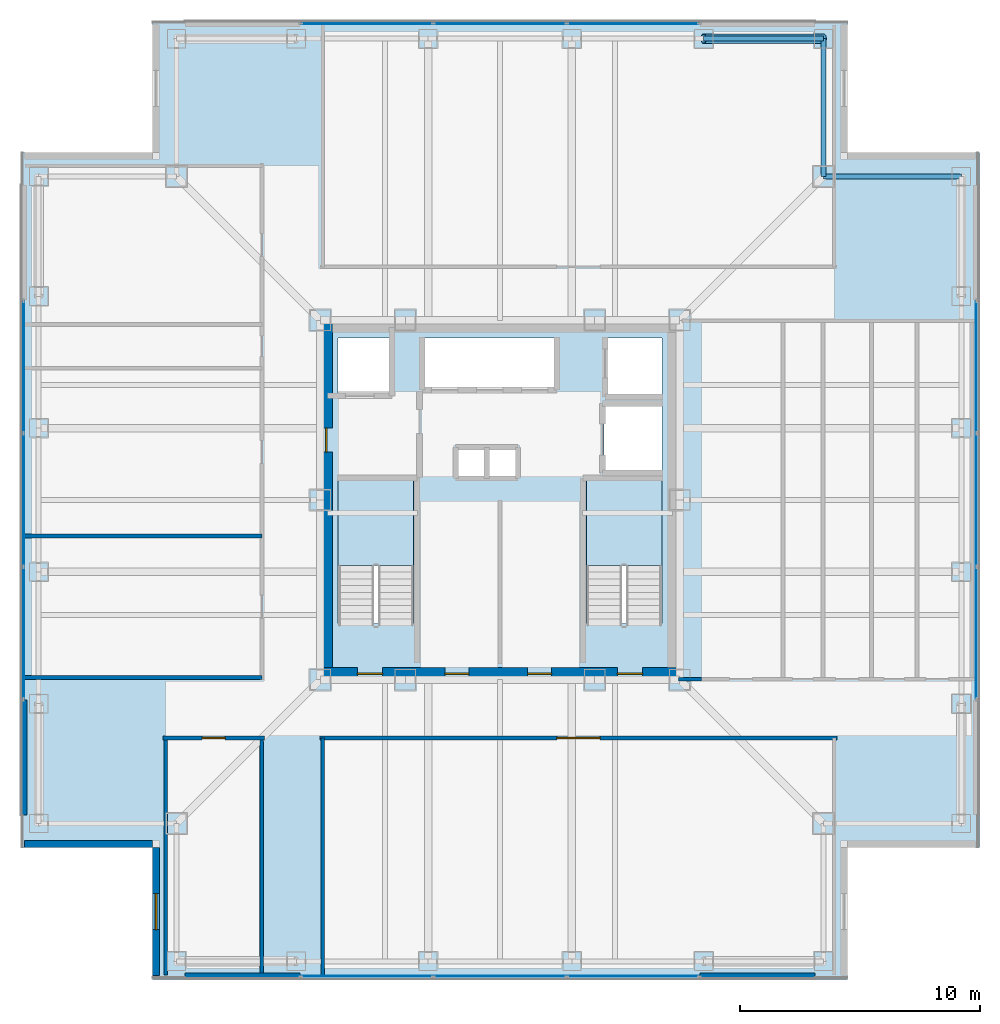
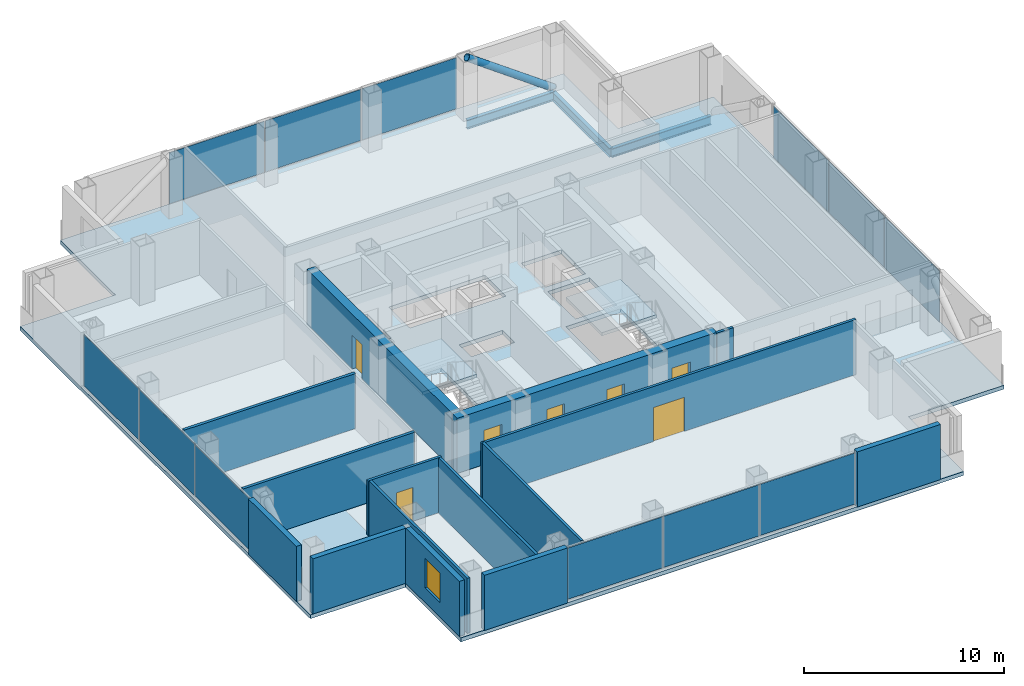
# One storey, part 8 of 16: 15 walls, 12 plates, 7 doors, 3 beams, 3 slabs, 1 member, 1 window, 8 openings, 6 elements without a shape of their own.
"""IFC4 building model written with IfcOpenShell, lengths in metres."""

from ifc_helpers import new_model, si_unit, direction, frame, frame_2d, origin, origin_2d, place, context, subcontext, project, spatial, polyline, rectangle, hollow_circle, i_section, outline, extrude, material, layer, layer_set, material_profile, profile_set, type_object, element, fill, aggregate, save


model = new_model("IFC4")

# Units and contexts
model_context = context("Model", 3, precision=1e-05, world=origin(), true_north=direction((0.0, 1.0)))
body_context = subcontext(model_context, "Body", "Model", "MODEL_VIEW")
ifc_project = project(units=[si_unit("LENGTHUNIT", "METRE"), si_unit("AREAUNIT", "SQUARE_METRE"), si_unit("VOLUMEUNIT", "CUBIC_METRE"), si_unit("PLANEANGLEUNIT", "RADIAN"), si_unit("MASSUNIT", "GRAM", prefix="KILO")], contexts=[model_context])

# Site, building, storey
site_placement = place(None, origin())
site = spatial("IfcSite", under=ifc_project, at=site_placement, CompositionType="ELEMENT")
building_placement = place(site_placement, origin())
building = spatial("IfcBuilding", under=site, at=building_placement, Name="Trevonay Congress Spire", CompositionType="ELEMENT")
storey_placement = place(building_placement, frame((0.0, 0.0, 202.199951171875)))
storey = spatial("IfcBuildingStorey", under=building, at=storey_placement, Name="L52", CompositionType="ELEMENT", Elevation=202.199951171875)

# Beams
ifc_material_1 = material(Name="Steel ASTM A572 Grade 50", Category="steel")
ifc_material_profile_1 = material_profile(ifc_material_1, i_section(OverallWidth=0.2119140625, OverallDepth=0.5439453125, WebThickness=0.01318359375, FlangeThickness=0.021240234375, FilletRadius=0.014892578125, at=origin_2d()), Name="W530x123")
ifc_profile_set_1 = profile_set([ifc_material_profile_1], Name="Steel ASTM A572 Grade 50")
beam_type = type_object("IfcBeamType", Name="BM-RING-W530X123", PredefinedType="BEAM", material=ifc_profile_set_1)
beam_placement = place(storey_placement, frame((8.5, 19.25, -0.511962890625), z_axis=(1.0, 0.0, 0.0), x_axis=(0.0, 1.0, 0.0)))
element("IfcBeam", 1, at=beam_placement, inside=storey, type_object=beam_type, Name="L52 structural beam BM-L52-PN5", PredefinedType="BEAM", context=body_context, shape_type="SweptSolid", body=[
    extrude(i_section(OverallWidth=0.2119140625, OverallDepth=0.5439453125, WebThickness=0.01318359375, FlangeThickness=0.021240234375, FilletRadius=0.014892578125, at=origin_2d()), origin(), (0.0, 0.0, 1.0), 5.0),
])
for number, where, z_axis, x_axis, name in (
    (2, (13.5, 19.25, -0.511962890625), (0.0, -1.0, 0.0), (1.0, 0.0, 0.0), "L52 structural beam BM-L52-N1NE"),
    (3, (19.25, 13.5, -0.511962890625), (-1.0, 0.0, 0.0), (0.0, -1.0, 0.0), "L52 structural beam BM-L52-N2NE"),
):
    element("IfcBeam", number, at=place(storey_placement, frame(where, z_axis=z_axis, x_axis=x_axis)), inside=storey, type_object=beam_type, Name=name, PredefinedType="BEAM", context=body_context, shape_type="SweptSolid", body=[
        extrude(i_section(OverallWidth=0.2119140625, OverallDepth=0.5439453125, WebThickness=0.01318359375, FlangeThickness=0.021240234375, FilletRadius=0.014892578125, at=origin_2d()), origin(), (0.0, 0.0, 1.0), 5.75),
    ])

# Member
ifc_material_2 = material(Name="Steel ASTM A500 Grade C", Category="steel")
ifc_material_profile_2 = material_profile(ifc_material_2, hollow_circle(Radius=0.203125, WallThickness=0.02001953125, at=origin_2d()), Name="CHS 406.4x20")
ifc_profile_set_2 = profile_set([ifc_material_profile_2], Name="Steel ASTM A500 Grade C")
member_type = type_object("IfcMemberType", Name="MBR-TUBE-CHS406", PredefinedType="BRACE", material=ifc_profile_set_2)
member_placement = place(storey_placement, frame((13.5, 19.25, -0.050048828125), z_axis=(-0.811526825515, 0.0, 0.584315164504), x_axis=(0.0, -1.0, 0.0)))
element("IfcMember", 4, at=member_placement, inside=storey, type_object=member_type, Name="L52 perimeter braced-tube diagonal N4", PredefinedType="BRACE", context=body_context, shape_type="SweptSolid", body=[
    extrude(hollow_circle(Radius=0.203125, WallThickness=0.02001953125, at=origin_2d()), origin(), (0.0, 0.0, 1.0), 6.1611328125),
])

# Curtain wall, plates
ifc_material_3 = material(Name="Pale Anodised Aluminium EN AW-6063-T6", Category="aluminium")
ifc_layer_1 = layer(ifc_material_3, 0.169921875, Name="Pale Anodised Aluminium EN AW-6063-T6")
ifc_layer_set_1 = layer_set([ifc_layer_1], Name="Pale Anodised Aluminium EN AW-6063-T6")
curtain_wall_type = type_object("IfcCurtainWallType", Name="CW-SYS04-CORP-PALE-METAL", PredefinedType="NOTDEFINED", material=ifc_layer_set_1)
curtain_wall_1_placement = place(storey_placement, origin())
curtain_wall_1 = element("IfcCurtainWall", 5, at=curtain_wall_1_placement, inside=storey, type_object=curtain_wall_type, Name="L52 S unitised curtain wall", PredefinedType="NOTDEFINED")
ifc_material_4 = material(Name="Insulated Low-E Vision Glass IGU", Category="glass")
ifc_layer_2 = layer(ifc_material_4, 0.035888671875, Name="Insulated Low-E Vision Glass IGU")
ifc_layer_set_2 = layer_set([ifc_layer_2], Name="Insulated Low-E Vision Glass IGU")
plate_type = type_object("IfcPlateType", Name="CW-PANEL-IGU36-SILVER", PredefinedType="CURTAIN_PANEL", material=ifc_layer_set_2)
plate_1_placement = place(storey_placement, frame((-5.5517578125, -19.8798828125, 0.119873046875), z_axis=(0.0, 0.0, 1.0), x_axis=(1.0, 0.0, 0.0)))
plate_1 = element("IfcPlate", 6, at=plate_1_placement, type_object=plate_type, Name="CW04 panel 1.1", PredefinedType="CURTAIN_PANEL", context=body_context, shape_type="SweptSolid", body=[
    extrude(rectangle(XDim=5.4765625, YDim=0.035888671875, at=origin_2d()), origin(), (0.0, 0.0, 1.0), 3.1201171875),
])
plate_2_placement = place(storey_placement, frame((0.0, -19.8798828125, 0.119873046875), z_axis=(0.0, 0.0, 1.0), x_axis=(1.0, 0.0, 0.0)))
plate_2 = element("IfcPlate", 7, at=plate_2_placement, type_object=plate_type, Name="CW04 panel 2.1", PredefinedType="CURTAIN_PANEL", context=body_context, shape_type="SweptSolid", body=[
    extrude(rectangle(XDim=5.506591796875, YDim=0.035888671875, at=origin_2d()), origin(), (0.0, 0.0, 1.0), 3.1201171875),
])
plate_3_placement = place(storey_placement, frame((5.5517578125, -19.8798828125, 0.119873046875), z_axis=(0.0, 0.0, 1.0), x_axis=(1.0, 0.0, 0.0)))
plate_3 = element("IfcPlate", 8, at=plate_3_placement, type_object=plate_type, Name="CW04 panel 3.1", PredefinedType="CURTAIN_PANEL", context=body_context, shape_type="SweptSolid", body=[
    extrude(rectangle(XDim=5.4765625, YDim=0.035888671875, at=origin_2d()), origin(), (0.0, 0.0, 1.0), 3.1201171875),
])
aggregate(curtain_wall_1, [plate_1, plate_2, plate_3])

curtain_wall_2_placement = place(storey_placement, origin())
curtain_wall_2 = element("IfcCurtainWall", 9, at=curtain_wall_2_placement, inside=storey, type_object=curtain_wall_type, Name="L52 N unitised curtain wall", PredefinedType="NOTDEFINED")
plate_4_placement = place(storey_placement, frame((-5.5517578125, 19.8798828125, 0.119873046875), z_axis=(0.0, 0.0, 1.0), x_axis=(1.0, 0.0, 0.0)))
plate_4 = element("IfcPlate", 10, at=plate_4_placement, type_object=plate_type, Name="CW04 panel 1.1", PredefinedType="CURTAIN_PANEL", context=body_context, shape_type="SweptSolid", body=[
    extrude(rectangle(XDim=5.4765625, YDim=0.035888671875, at=origin_2d()), origin(), (0.0, 0.0, 1.0), 3.1201171875),
])
plate_5_placement = place(storey_placement, frame((0.0, 19.8798828125, 0.119873046875), z_axis=(0.0, 0.0, 1.0), x_axis=(1.0, 0.0, 0.0)))
plate_5 = element("IfcPlate", 11, at=plate_5_placement, type_object=plate_type, Name="CW04 panel 2.1", PredefinedType="CURTAIN_PANEL", context=body_context, shape_type="SweptSolid", body=[
    extrude(rectangle(XDim=5.506591796875, YDim=0.035888671875, at=origin_2d()), origin(), (0.0, 0.0, 1.0), 3.1201171875),
])
plate_6_placement = place(storey_placement, frame((5.5517578125, 19.8798828125, 0.119873046875), z_axis=(0.0, 0.0, 1.0), x_axis=(1.0, 0.0, 0.0)))
plate_6 = element("IfcPlate", 12, at=plate_6_placement, type_object=plate_type, Name="CW04 panel 3.1", PredefinedType="CURTAIN_PANEL", context=body_context, shape_type="SweptSolid", body=[
    extrude(rectangle(XDim=5.4765625, YDim=0.035888671875, at=origin_2d()), origin(), (0.0, 0.0, 1.0), 3.1201171875),
])
aggregate(curtain_wall_2, [plate_4, plate_5, plate_6])

curtain_wall_3_placement = place(storey_placement, origin())
curtain_wall_3 = element("IfcCurtainWall", 13, at=curtain_wall_3_placement, inside=storey, type_object=curtain_wall_type, Name="L52 W unitised curtain wall", PredefinedType="NOTDEFINED")
plate_7_placement = place(storey_placement, frame((-19.8798828125, -5.5517578125, 0.119873046875), z_axis=(0.0, 0.0, 1.0), x_axis=(0.0, 1.0, 0.0)))
plate_7 = element("IfcPlate", 14, at=plate_7_placement, type_object=plate_type, Name="CW04 panel 1.1", PredefinedType="CURTAIN_PANEL", context=body_context, shape_type="SweptSolid", body=[
    extrude(rectangle(XDim=5.4765625, YDim=0.035888671875, at=origin_2d()), origin(), (0.0, 0.0, 1.0), 3.1201171875),
])
plate_8_placement = place(storey_placement, frame((-19.8798828125, 0.0, 0.119873046875), z_axis=(0.0, 0.0, 1.0), x_axis=(0.0, 1.0, 0.0)))
plate_8 = element("IfcPlate", 15, at=plate_8_placement, type_object=plate_type, Name="CW04 panel 2.1", PredefinedType="CURTAIN_PANEL", context=body_context, shape_type="SweptSolid", body=[
    extrude(rectangle(XDim=5.506591796875, YDim=0.035888671875, at=origin_2d()), origin(), (0.0, 0.0, 1.0), 3.1201171875),
])
plate_9_placement = place(storey_placement, frame((-19.8798828125, 5.5517578125, 0.119873046875), z_axis=(0.0, 0.0, 1.0), x_axis=(0.0, 1.0, 0.0)))
plate_9 = element("IfcPlate", 16, at=plate_9_placement, type_object=plate_type, Name="CW04 panel 3.1", PredefinedType="CURTAIN_PANEL", context=body_context, shape_type="SweptSolid", body=[
    extrude(rectangle(XDim=5.4765625, YDim=0.035888671875, at=origin_2d()), origin(), (0.0, 0.0, 1.0), 3.1201171875),
])
aggregate(curtain_wall_3, [plate_7, plate_8, plate_9])

curtain_wall_4_placement = place(storey_placement, origin())
curtain_wall_4 = element("IfcCurtainWall", 17, at=curtain_wall_4_placement, inside=storey, type_object=curtain_wall_type, Name="L52 E unitised curtain wall", PredefinedType="NOTDEFINED")
plate_10_placement = place(storey_placement, frame((19.8798828125, -5.5517578125, 0.119873046875), z_axis=(0.0, 0.0, 1.0), x_axis=(0.0, 1.0, 0.0)))
plate_10 = element("IfcPlate", 18, at=plate_10_placement, type_object=plate_type, Name="CW04 panel 1.1", PredefinedType="CURTAIN_PANEL", context=body_context, shape_type="SweptSolid", body=[
    extrude(rectangle(XDim=5.4765625, YDim=0.035888671875, at=origin_2d()), origin(), (0.0, 0.0, 1.0), 3.1201171875),
])
plate_11_placement = place(storey_placement, frame((19.8798828125, 0.0, 0.119873046875), z_axis=(0.0, 0.0, 1.0), x_axis=(0.0, 1.0, 0.0)))
plate_11 = element("IfcPlate", 19, at=plate_11_placement, type_object=plate_type, Name="CW04 panel 2.1", PredefinedType="CURTAIN_PANEL", context=body_context, shape_type="SweptSolid", body=[
    extrude(rectangle(XDim=5.506591796875, YDim=0.035888671875, at=origin_2d()), origin(), (0.0, 0.0, 1.0), 3.1201171875),
])
plate_12_placement = place(storey_placement, frame((19.8798828125, 5.5517578125, 0.119873046875), z_axis=(0.0, 0.0, 1.0), x_axis=(0.0, 1.0, 0.0)))
plate_12 = element("IfcPlate", 20, at=plate_12_placement, type_object=plate_type, Name="CW04 panel 3.1", PredefinedType="CURTAIN_PANEL", context=body_context, shape_type="SweptSolid", body=[
    extrude(rectangle(XDim=5.4765625, YDim=0.035888671875, at=origin_2d()), origin(), (0.0, 0.0, 1.0), 3.1201171875),
])
aggregate(curtain_wall_4, [plate_10, plate_11, plate_12])

# Stair, slab
ifc_material_5 = material(Name="Concrete C40/50", Category="concrete")
stair_type_1 = type_object("IfcStairType", Name="STR-ST-1", PredefinedType="HALF_TURN_STAIR", material=ifc_material_5)
stair_1_placement = place(storey_placement, origin())
stair_1 = element("IfcStair", 21, at=stair_1_placement, inside=storey, type_object=stair_type_1, Name="L52 Protected Exit Stair ST-1", PredefinedType="HALF_TURN_STAIR")
ifc_layer_3 = layer(ifc_material_5, 0.199951171875, Name="Concrete C40/50")
ifc_layer_set_3 = layer_set([ifc_layer_3], Name="Concrete C40/50")
slab_type_1 = type_object("IfcSlabType", Name="SLB-STAIR-LAND-200", PredefinedType="LANDING", material=ifc_layer_set_3)
slab_1_placement = place(storey_placement, frame((0.0, 0.0, 1.60009765625)))
slab_1 = element("IfcSlab", 22, at=slab_1_placement, type_object=slab_type_1, Name="ST-1 landing 1", PredefinedType="LANDING", context=body_context, shape_type="SweptSolid", body=[
    extrude(outline(polyline([(-3.60009765625, -2.72998046875), (-3.60009765625, 0.85009765625), (-6.75, 0.85009765625), (-6.75, -2.72998046875), (-3.60009765625, -2.72998046875)])), origin(), (0.0, 0.0, 1.0), 0.199951171875),
])
aggregate(stair_1, [slab_1])

stair_type_2 = type_object("IfcStairType", Name="STR-ST-2", PredefinedType="HALF_TURN_STAIR", material=ifc_material_5)
stair_2_placement = place(storey_placement, origin())
stair_2 = element("IfcStair", 23, at=stair_2_placement, inside=storey, type_object=stair_type_2, Name="L52 Protected Exit Stair ST-2", PredefinedType="HALF_TURN_STAIR")
slab_2_placement = place(storey_placement, frame((0.0, 0.0, 1.60009765625)))
slab_2 = element("IfcSlab", 24, at=slab_2_placement, type_object=slab_type_1, Name="ST-2 landing 1", PredefinedType="LANDING", context=body_context, shape_type="SweptSolid", body=[
    extrude(outline(polyline([(6.75, -2.72998046875), (6.75, 0.85009765625), (3.60009765625, 0.85009765625), (3.60009765625, -2.72998046875), (6.75, -2.72998046875)])), origin(), (0.0, 0.0, 1.0), 0.199951171875),
])
aggregate(stair_2, [slab_2])

# Slab
ifc_layer_4 = layer(ifc_material_5, 0.239990234375, Name="Concrete C40/50")
ifc_layer_set_4 = layer_set([ifc_layer_4], Name="Concrete C40/50")
slab_type_2 = type_object("IfcSlabType", Name="SLB-TOW2-240", PredefinedType="FLOOR", material=ifc_layer_set_4)
slab_3_placement = place(storey_placement, frame((0.0, 0.0, -0.239990234375)))
element("IfcSlab", 25, at=slab_3_placement, inside=storey, type_object=slab_type_2, Name="L52 structural floor slab", PredefinedType="FLOOR", context=body_context, shape_type="SweptSolid", body=[
    extrude(outline(polyline([(-14.5, -20.0), (14.5, -20.0), (14.5, -14.5), (20.0, -14.5), (20.0, 14.5), (14.5, 14.5), (14.5, 20.0), (-14.5, 20.0), (-14.5, 14.5), (-20.0, 14.5), (-20.0, -14.5), (-14.5, -14.5), (-14.5, -20.0)]), holes=[polyline([(-3.60009765625, -5.14990234375), (-3.60009765625, 0.85009765625), (-6.75, 0.85009765625), (-6.75, -5.14990234375), (-3.60009765625, -5.14990234375)]), polyline([(6.75, -5.14990234375), (6.75, 0.85009765625), (3.60009765625, 0.85009765625), (3.60009765625, -5.14990234375), (6.75, -5.14990234375)]), polyline([(-3.199951171875, 4.64990234375), (2.340087890625, 4.64990234375), (2.340087890625, 6.75), (-3.199951171875, 6.75), (-3.199951171875, 4.64990234375)]), polyline([(-6.75, 4.35009765625), (-4.449951171875, 4.35009765625), (-4.449951171875, 6.75), (-6.75, 6.75), (-6.75, 4.35009765625)]), polyline([(4.449951171875, 4.35009765625), (6.75, 4.35009765625), (6.75, 6.75), (4.449951171875, 6.75), (4.449951171875, 4.35009765625)]), polyline([(4.35009765625, 1.199951171875), (6.75, 1.199951171875), (6.75, 3.949951171875), (4.35009765625, 3.949951171875), (4.35009765625, 1.199951171875)]), polyline([(-1.800048828125, 0.949951171875), (0.699951171875, 0.949951171875), (0.699951171875, 2.14990234375), (-1.800048828125, 2.14990234375), (-1.800048828125, 0.949951171875)])]), origin(), (0.0, 0.0, 1.0), 0.239990234375),
])

# Wall, openings, doors
ifc_material_6 = material(Name="Concrete C50/60", Category="concrete")
ifc_layer_5 = layer(ifc_material_6, 0.5, Name="Concrete C50/60")
ifc_layer_set_5 = layer_set([ifc_layer_5], Name="Concrete C50/60")
wall_type_1 = type_object("IfcWallType", Name="WAL-CORE-500", PredefinedType="SHEAR", material=ifc_layer_set_5)
wall_1_placement = place(storey_placement, frame((-7.5, -7.25, 0.0), z_axis=(0.0, 0.0, 1.0), x_axis=(1.0, 0.0, 0.0)))
wall_1 = element("IfcWall", 26, at=wall_1_placement, inside=storey, type_object=wall_type_1, Name="L52 South structural core shear wall", PredefinedType="SHEAR", context=body_context, shape_type="SweptSolid", body=[
    extrude(rectangle(XDim=15.0, YDim=0.5, at=frame_2d((7.5, 0.0))), origin(), (0.0, 0.0, 1.0), 3.360107421875),
])
opening_1_placement = place(wall_1_placement, frame((1.550048828125, 0.0, 0.0)))
opening_1 = element("IfcOpeningElement", 27, at=opening_1_placement, cuts=wall_1, Name="Opening D05", PredefinedType="OPENING", context=body_context, shape_type="SweptSolid", body=[
    extrude(rectangle(XDim=1.050048828125, YDim=2.080078125, at=frame_2d((0.52490234375, 1.0400390625))), frame((0.0, 0.260009765625, 0.0), z_axis=(0.0, -1.0, 0.0), x_axis=(1.0, 0.0, 0.0)), (0.0, 0.0, 1.0), 0.52001953125),
])
opening_2_placement = place(wall_1_placement, frame((12.39990234375, 0.0, 0.0)))
opening_2 = element("IfcOpeningElement", 28, at=opening_2_placement, cuts=wall_1, Name="Opening D05", PredefinedType="OPENING", context=body_context, shape_type="SweptSolid", body=[
    extrude(rectangle(XDim=1.050048828125, YDim=2.080078125, at=frame_2d((0.52490234375, 1.0400390625))), frame((0.0, 0.260009765625, 0.0), z_axis=(0.0, -1.0, 0.0), x_axis=(1.0, 0.0, 0.0)), (0.0, 0.0, 1.0), 0.52001953125),
])
opening_3_placement = place(wall_1_placement, frame((5.199951171875, 0.0, 0.0)))
opening_3 = element("IfcOpeningElement", 29, at=opening_3_placement, cuts=wall_1, Name="Opening D06", PredefinedType="OPENING", context=body_context, shape_type="SweptSolid", body=[
    extrude(rectangle(XDim=1.0, YDim=2.080078125, at=frame_2d((0.5, 1.0400390625))), frame((0.0, 0.260009765625, 0.0), z_axis=(0.0, -1.0, 0.0), x_axis=(1.0, 0.0, 0.0)), (0.0, 0.0, 1.0), 0.52001953125),
])
opening_4_placement = place(wall_1_placement, frame((8.64990234375, 0.0, 0.0)))
opening_4 = element("IfcOpeningElement", 30, at=opening_4_placement, cuts=wall_1, Name="Opening D06", PredefinedType="OPENING", context=body_context, shape_type="SweptSolid", body=[
    extrude(rectangle(XDim=1.0, YDim=2.080078125, at=frame_2d((0.5, 1.0400390625))), frame((0.0, 0.260009765625, 0.0), z_axis=(0.0, -1.0, 0.0), x_axis=(1.0, 0.0, 0.0)), (0.0, 0.0, 1.0), 0.52001953125),
])
door_type_1 = type_object("IfcDoorType", Name="DOR-FIRE-100", OperationType="NOTDEFINED", PredefinedType="DOOR", material=ifc_material_1)
door_1_placement = place(opening_3_placement, origin())
door_1 = element("IfcDoor", 31, at=door_1_placement, inside=storey, type_object=door_type_1, Name="L52 South Core Room 1 Door", OperationType="SINGLE_SWING_RIGHT", OverallHeight=2.080078125, OverallWidth=1.0, PredefinedType="DOOR", context=body_context, shape_type="SweptSolid", body=[
    extrude(rectangle(XDim=1.0, YDim=2.080078125, at=frame_2d((0.5, 1.0400390625))), frame((0.0, 0.02490234375, 0.0), z_axis=(0.0, -1.0, 0.0), x_axis=(1.0, 0.0, 0.0)), (0.0, 0.0, 1.0), 0.050048828125),
])
fill(opening_3, door_1)
door_2_placement = place(opening_4_placement, origin())
door_2 = element("IfcDoor", 32, at=door_2_placement, inside=storey, type_object=door_type_1, Name="L52 South Core Room 2 Door", OperationType="SINGLE_SWING_LEFT", OverallHeight=2.080078125, OverallWidth=1.0, PredefinedType="DOOR", context=body_context, shape_type="SweptSolid", body=[
    extrude(rectangle(XDim=1.0, YDim=2.080078125, at=frame_2d((0.5, 1.0400390625))), frame((0.0, 0.02490234375, 0.0), z_axis=(0.0, -1.0, 0.0), x_axis=(1.0, 0.0, 0.0)), (0.0, 0.0, 1.0), 0.050048828125),
])
fill(opening_4, door_2)
door_type_2 = type_object("IfcDoorType", Name="DOR-STAIR-110", OperationType="NOTDEFINED", PredefinedType="DOOR", material=ifc_material_1)
door_3_placement = place(opening_1_placement, origin())
door_3 = element("IfcDoor", 33, at=door_3_placement, inside=storey, type_object=door_type_2, Name="L52 Protected Stair ST-1 Door", OperationType="SINGLE_SWING_LEFT", OverallHeight=2.080078125, OverallWidth=1.050048828125, PredefinedType="DOOR", context=body_context, shape_type="SweptSolid", body=[
    extrude(rectangle(XDim=1.050048828125, YDim=2.080078125, at=frame_2d((0.52490234375, 1.0400390625))), frame((0.0, 0.02490234375, 0.0), z_axis=(0.0, -1.0, 0.0), x_axis=(1.0, 0.0, 0.0)), (0.0, 0.0, 1.0), 0.050048828125),
])
fill(opening_1, door_3)
door_4_placement = place(opening_2_placement, origin())
door_4 = element("IfcDoor", 34, at=door_4_placement, inside=storey, type_object=door_type_2, Name="L52 Protected Stair ST-2 Door", OperationType="SINGLE_SWING_RIGHT", OverallHeight=2.080078125, OverallWidth=1.050048828125, PredefinedType="DOOR", context=body_context, shape_type="SweptSolid", body=[
    extrude(rectangle(XDim=1.050048828125, YDim=2.080078125, at=frame_2d((0.52490234375, 1.0400390625))), frame((0.0, 0.02490234375, 0.0), z_axis=(0.0, -1.0, 0.0), x_axis=(1.0, 0.0, 0.0)), (0.0, 0.0, 1.0), 0.050048828125),
])
fill(opening_2, door_4)

# Wall, opening, door
wall_2_placement = place(storey_placement, frame((-7.25, -7.5, 0.0), z_axis=(0.0, 0.0, 1.0), x_axis=(0.0, 1.0, 0.0)))
wall_2 = element("IfcWall", 35, at=wall_2_placement, inside=storey, type_object=wall_type_1, Name="L52 West structural core shear wall", PredefinedType="SHEAR", context=body_context, shape_type="SweptSolid", body=[
    extrude(rectangle(XDim=15.0, YDim=0.5, at=frame_2d((7.5, 0.0))), origin(), (0.0, 0.0, 1.0), 3.360107421875),
])
opening_5_placement = place(wall_2_placement, frame((9.5, 0.0, 0.0)))
opening_5 = element("IfcOpeningElement", 36, at=opening_5_placement, cuts=wall_2, Name="Opening D06", PredefinedType="OPENING", context=body_context, shape_type="SweptSolid", body=[
    extrude(rectangle(XDim=1.0, YDim=2.080078125, at=frame_2d((0.5, 1.0400390625))), frame((0.0, 0.260009765625, 0.0), z_axis=(0.0, -1.0, 0.0), x_axis=(1.0, 0.0, 0.0)), (0.0, 0.0, 1.0), 0.52001953125),
])
door_5_placement = place(opening_5_placement, origin())
door_5 = element("IfcDoor", 37, at=door_5_placement, inside=storey, type_object=door_type_1, Name="L52 Firefighting Lift Lobby West Corridor Door", OperationType="SINGLE_SWING_LEFT", OverallHeight=2.080078125, OverallWidth=1.0, PredefinedType="DOOR", context=body_context, shape_type="SweptSolid", body=[
    extrude(rectangle(XDim=1.0, YDim=2.080078125, at=frame_2d((0.5, 1.0400390625))), frame((0.0, 0.02490234375, 0.0), z_axis=(0.0, -1.0, 0.0), x_axis=(1.0, 0.0, 0.0)), (0.0, 0.0, 1.0), 0.050048828125),
])
fill(opening_5, door_5)

ifc_layer_6 = layer(ifc_material_5, 0.14990234375, Name="Concrete C40/50")
ifc_layer_set_6 = layer_set([ifc_layer_6], Name="Concrete C40/50")
wall_type_2 = type_object("IfcWallType", Name="WAL-CORR-150", PredefinedType="PARTITIONING", material=ifc_layer_set_6)
wall_3_placement = place(storey_placement, frame((-14.070068359375, -9.929931640625, 0.0), z_axis=(0.0, 0.0, 1.0), x_axis=(1.0, 0.0, 0.0)))
wall_3 = element("IfcWall", 38, at=wall_3_placement, inside=storey, type_object=wall_type_2, Name="L52 interior wall WP-L52SW-COR", PredefinedType="PARTITIONING", context=body_context, shape_type="SweptSolid", body=[
    extrude(rectangle(XDim=4.239990234375, YDim=0.14990234375, at=frame_2d((2.1201171875, 0.0))), origin(), (0.0, 0.0, 1.0), 3.360107421875),
])
opening_6_placement = place(wall_3_placement, frame((1.64501953125, 0.0, 0.0)))
opening_6 = element("IfcOpeningElement", 39, at=opening_6_placement, cuts=wall_3, Name="Opening D07", PredefinedType="OPENING", context=body_context, shape_type="SweptSolid", body=[
    extrude(rectangle(XDim=0.949951171875, YDim=2.06005859375, at=frame_2d((0.47509765625, 1.030029296875))), frame((0.0, 0.0849609375, 0.0), z_axis=(0.0, -1.0, 0.0), x_axis=(1.0, 0.0, 0.0)), (0.0, 0.0, 1.0), 0.169921875),
])
door_type_3 = type_object("IfcDoorType", Name="DOR-OFFICE-95", OperationType="NOTDEFINED", PredefinedType="DOOR", material=ifc_material_3)
door_6_placement = place(opening_6_placement, origin())
door_6 = element("IfcDoor", 40, at=door_6_placement, inside=storey, type_object=door_type_3, Name="L52 Quiet Meditation Lounge Door", OperationType="SINGLE_SWING_LEFT", OverallHeight=2.06005859375, OverallWidth=0.949951171875, PredefinedType="DOOR", context=body_context, shape_type="SweptSolid", body=[
    extrude(rectangle(XDim=0.949951171875, YDim=2.06005859375, at=frame_2d((0.47509765625, 1.030029296875))), frame((0.0, 0.02490234375, 0.0), z_axis=(0.0, -1.0, 0.0), x_axis=(1.0, 0.0, 0.0)), (0.0, 0.0, 1.0), 0.050048828125),
])
fill(opening_6, door_6)

wall_4_placement = place(storey_placement, frame((-7.52001953125, -9.929931640625, 0.0), z_axis=(0.0, 0.0, 1.0), x_axis=(1.0, 0.0, 0.0)))
wall_4 = element("IfcWall", 41, at=wall_4_placement, inside=storey, type_object=wall_type_2, Name="L52 interior wall WP-L52SE-COR", PredefinedType="PARTITIONING", context=body_context, shape_type="SweptSolid", body=[
    extrude(rectangle(XDim=21.590087890625, YDim=0.14990234375, at=frame_2d((10.794921875, 0.0))), origin(), (0.0, 0.0, 1.0), 3.360107421875),
])
opening_7_placement = place(wall_4_placement, frame((9.89501953125, 0.0, 0.0)))
opening_7 = element("IfcOpeningElement", 42, at=opening_7_placement, cuts=wall_4, Name="Opening D09", PredefinedType="OPENING", context=body_context, shape_type="SweptSolid", body=[
    extrude(rectangle(XDim=1.800048828125, YDim=2.080078125, at=frame_2d((0.89990234375, 1.0400390625))), frame((0.0, 0.0849609375, 0.0), z_axis=(0.0, -1.0, 0.0), x_axis=(1.0, 0.0, 0.0)), (0.0, 0.0, 1.0), 0.169921875),
])
door_type_4 = type_object("IfcDoorType", Name="DOR-CONF-DBL", OperationType="DOUBLE_DOOR_SINGLE_SWING", PredefinedType="DOOR", material=ifc_material_3)
door_7_placement = place(opening_7_placement, origin())
door_7 = element("IfcDoor", 43, at=door_7_placement, inside=storey, type_object=door_type_4, Name="L52 Members Maritime Reference Library Lounge Door", OperationType="DOUBLE_DOOR_SINGLE_SWING", OverallHeight=2.080078125, OverallWidth=1.800048828125, PredefinedType="DOOR", context=body_context, shape_type="SweptSolid", body=[
    extrude(rectangle(XDim=1.800048828125, YDim=2.080078125, at=frame_2d((0.89990234375, 1.0400390625))), frame((0.0, 0.02490234375, 0.0), z_axis=(0.0, -1.0, 0.0), x_axis=(1.0, 0.0, 0.0)), (0.0, 0.0, 1.0), 0.050048828125),
])
fill(opening_7, door_7)

# Walls
wall_5_placement = place(storey_placement, frame((7.449951171875, -7.47998046875, 0.0), z_axis=(0.0, 0.0, 1.0), x_axis=(1.0, 0.0, 0.0)))
element("IfcWall", 44, at=wall_5_placement, inside=storey, type_object=wall_type_2, Name="L52 interior wall WP-L52E-STUB", PredefinedType="PARTITIONING", context=body_context, shape_type="SweptSolid", body=[
    extrude(rectangle(XDim=0.949951171875, YDim=0.14990234375, at=frame_2d((0.47509765625, 0.0))), origin(), (0.0, 0.0, 1.0), 3.360107421875),
])
ifc_material_7 = material(Name="Precast concrete C40/50", Category="concrete")
ifc_layer_7 = layer(ifc_material_7, 0.300048828125, Name="Precast concrete C40/50")
ifc_layer_set_7 = layer_set([ifc_layer_7], Name="Precast concrete C40/50")
wall_type_3 = type_object("IfcWallType", Name="WAL-EXT-PRECAST-300", PredefinedType="SOLIDWALL", material=ifc_layer_set_7)
for number, where, z_axis, x_axis, name in (
    (45, (-13.14990234375, -19.8798828125, 0.0), (0.0, 0.0, 1.0), (1.0, 0.0, 0.0), "L52 SL braced-bay exterior pier wall"),
    (46, (8.35009765625, -19.8798828125, 0.0), (0.0, 0.0, 1.0), (1.0, 0.0, 0.0), "L52 SR braced-bay exterior pier wall"),
    (47, (-19.8798828125, -13.14990234375, 0.0), (0.0, 0.0, 1.0), (0.0, 1.0, 0.0), "L52 WL braced-bay exterior pier wall"),
):
    element("IfcWall", number, at=place(storey_placement, frame(where, z_axis=z_axis, x_axis=x_axis)), inside=storey, type_object=wall_type_3, Name=name, PredefinedType="SOLIDWALL", context=body_context, shape_type="SweptSolid", body=[
        extrude(rectangle(XDim=4.7998046875, YDim=0.300048828125, at=frame_2d((2.39990234375, 0.0))), origin(), (0.0, 0.0, 1.0), 3.360107421875),
    ])

# Wall, opening, window
wall_6_placement = place(storey_placement, frame((-14.35009765625, -19.85009765625, 0.0), z_axis=(0.0, 0.0, 1.0), x_axis=(0.0, 1.0, 0.0)))
wall_6 = element("IfcWall", 48, at=wall_6_placement, inside=storey, type_object=wall_type_3, Name="L52 SW re-entrant notch exterior wall 1", PredefinedType="SOLIDWALL", context=body_context, shape_type="SweptSolid", body=[
    extrude(rectangle(XDim=5.35009765625, YDim=0.300048828125, at=frame_2d((2.675048828125, 0.0))), origin(), (0.0, 0.0, 1.0), 3.360107421875),
])
opening_8_placement = place(wall_6_placement, frame((1.925048828125, 0.0, 0.89990234375)))
opening_8 = element("IfcOpeningElement", 49, at=opening_8_placement, cuts=wall_6, Name="Opening WN03", PredefinedType="OPENING", context=body_context, shape_type="SweptSolid", body=[
    extrude(rectangle(XDim=1.5, YDim=1.800048828125, at=frame_2d((0.75, 0.89990234375))), frame((0.0, 0.16015625, 0.0), z_axis=(0.0, -1.0, 0.0), x_axis=(1.0, 0.0, 0.0)), (0.0, 0.0, 1.0), 0.320068359375),
])
window_type = type_object("IfcWindowType", Name="WIN-NOTCH-150X180", PartitioningType="SINGLE_PANEL", PredefinedType="WINDOW", material=ifc_material_4)
window_placement = place(opening_8_placement, origin())
window = element("IfcWindow", 50, at=window_placement, inside=storey, type_object=window_type, Name="L52 SW corner notch window", OverallHeight=1.800048828125, OverallWidth=1.5, PartitioningType="SINGLE_PANEL", PredefinedType="WINDOW", context=body_context, shape_type="SweptSolid", body=[
    extrude(rectangle(XDim=1.5, YDim=1.800048828125, at=frame_2d((0.75, 0.89990234375))), frame((0.0, 0.030029296875, 0.0), z_axis=(0.0, -1.0, 0.0), x_axis=(1.0, 0.0, 0.0)), (0.0, 0.0, 1.0), 0.06005859375),
])
fill(opening_8, window)

# Walls
wall_7_placement = place(storey_placement, frame((-19.85009765625, -14.35009765625, 0.0), z_axis=(0.0, 0.0, 1.0), x_axis=(1.0, 0.0, 0.0)))
element("IfcWall", 51, at=wall_7_placement, inside=storey, type_object=wall_type_3, Name="L52 SW re-entrant notch exterior wall 2", PredefinedType="SOLIDWALL", context=body_context, shape_type="SweptSolid", body=[
    extrude(rectangle(XDim=5.35009765625, YDim=0.300048828125, at=frame_2d((2.675048828125, 0.0))), origin(), (0.0, 0.0, 1.0), 3.360107421875),
])
ifc_layer_8 = layer(ifc_material_5, 0.14990234375, Name="Concrete C40/50")
ifc_layer_set_8 = layer_set([ifc_layer_8], Name="Concrete C40/50")
wall_type_4 = type_object("IfcWallType", Name="WAL-PART-150", PredefinedType="PARTITIONING", material=ifc_layer_set_8)
for number, where, z_axis, x_axis, name in (
    (52, (-13.949951171875, -19.820068359375, 0.0), (0.0, 0.0, 1.0), (0.0, 1.0, 0.0), "L52 interior wall WP-L52SW-DIV1"),
    (53, (-9.949951171875, -19.820068359375, 0.0), (0.0, 0.0, 1.0), (0.0, 1.0, 0.0), "L52 interior wall WP-L52SW-DIV2"),
    (54, (-7.39990234375, -19.820068359375, 0.0), (0.0, 0.0, 1.0), (0.0, 1.0, 0.0), "L52 interior wall WP-L52SE-DIV1"),
):
    element("IfcWall", number, at=place(storey_placement, frame(where, z_axis=z_axis, x_axis=x_axis)), inside=storey, type_object=wall_type_4, Name=name, PredefinedType="PARTITIONING", context=body_context, shape_type="SweptSolid", body=[
        extrude(rectangle(XDim=9.89013671875, YDim=0.14990234375, at=frame_2d((4.945068359375, 0.0))), origin(), (0.0, 0.0, 1.0), 3.360107421875),
    ])
ifc_layer_9 = layer(ifc_material_5, 0.1650390625, Name="Concrete C40/50")
ifc_layer_set_9 = layer_set([ifc_layer_9], Name="Concrete C40/50")
wall_type_5 = type_object("IfcWallType", Name="WAL-WET-165", PredefinedType="PLUMBINGWALL", material=ifc_layer_set_9)
for number, where, z_axis, x_axis, name in (
    (55, (-19.820068359375, -7.39990234375, 0.0), (0.0, 0.0, 1.0), (1.0, 0.0, 0.0), "L52 interior wall WP-L52NW-DIV1"),
    (56, (-19.820068359375, -1.5, 0.0), (0.0, 0.0, 1.0), (1.0, 0.0, 0.0), "L52 interior wall WP-L52NW-DIV2"),
):
    element("IfcWall", number, at=place(storey_placement, frame(where, z_axis=z_axis, x_axis=x_axis)), inside=storey, type_object=wall_type_5, Name=name, PredefinedType="PLUMBINGWALL", context=body_context, shape_type="SweptSolid", body=[
        extrude(rectangle(XDim=9.89013671875, YDim=0.1650390625, at=frame_2d((4.945068359375, 0.0))), origin(), (0.0, 0.0, 1.0), 3.360107421875),
    ])

save(model, "model.ifc")
